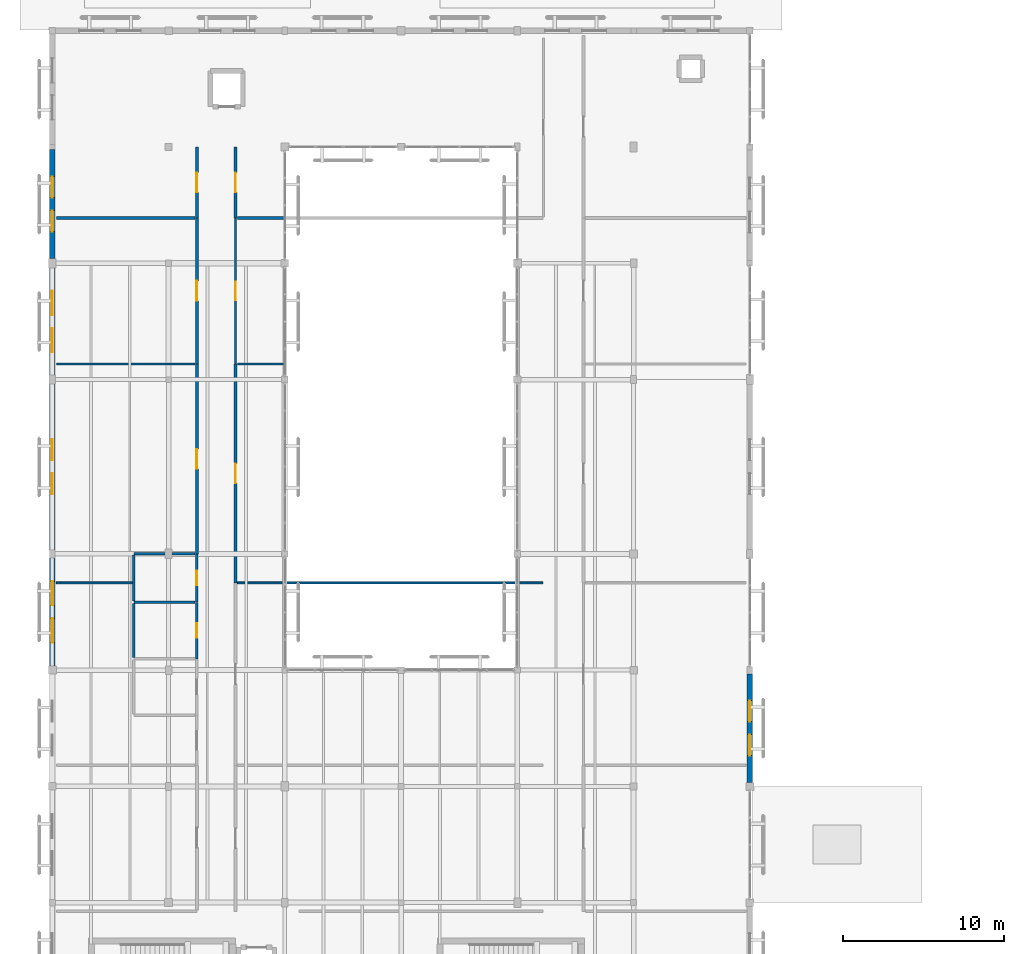
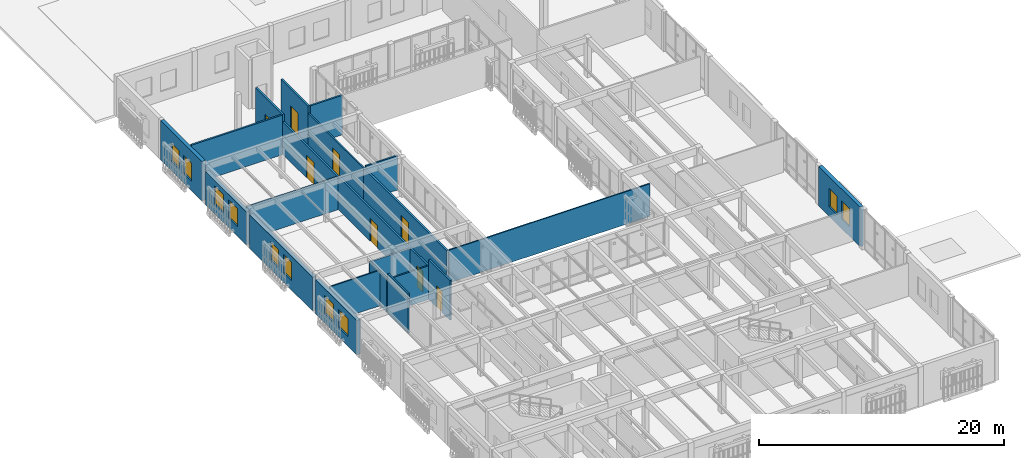
# One storey, part 47 of 61: 23 walls, 10 windows, 8 doors, 18 openings.
"""IFC4 building model written with IfcOpenShell, lengths in metres."""

import ifcopenshell
import ifcopenshell.guid

model = None  # the IFC model being written
_history = None  # IfcOwnerHistory: only IFC2X3 demands one
_inside = {}  # id of a spatial element -> (the spatial element, [elements in it])
_under = {}  # id of a project, library or spatial element -> (it, [spatial elements below it])
_declared = {}  # id of a project -> (the project, [libraries it declares])
_typed = {}  # id of a type object -> (the type object, [elements of that type])
_made_of = {}  # id of a material, layer set ... -> (it, [elements and type objects made of it])


def new_model(schema):
    """Start an empty IFC model of exactly this schema.

    Asked for "IFC4X3", IfcOpenShell would pick the latest addendum, in which some entities
    have other attributes; the version numbers below select the first issue.
    IFC2X3 requires an IfcOwnerHistory on every rooted entity: one is made here for all.
    """
    global model, _history
    if schema == "IFC4X3":
        model = ifcopenshell.file(schema_version=(4, 3, 0, 0))
    else:
        model = ifcopenshell.file(schema=schema)
    _inside.clear()
    _under.clear()
    _declared.clear()
    _typed.clear()
    _made_of.clear()
    _history = None
    if model.schema == "IFC2X3":
        org = make("IfcOrganization", Name="unknown")
        user = make(
            "IfcPersonAndOrganization",
            ThePerson=make("IfcPerson", FamilyName="unknown"),
            TheOrganization=org,
        )
        app = make(
            "IfcApplication",
            ApplicationDeveloper=org,
            Version="unknown",
            ApplicationFullName="unknown",
            ApplicationIdentifier="unknown",
        )
        _history = make(
            "IfcOwnerHistory",
            OwningUser=user,
            OwningApplication=app,
            ChangeAction="ADDED",
            CreationDate=0,
        )
    return model


def make(cls, **values):
    """One entity of the class cls with the attributes given. An attribute that is None is left unset."""
    return model.create_entity(
        cls, **{name: value for name, value in values.items() if value is not None}
    )


def rooted(cls, **values):
    """An entity with a GlobalId (a new one), such as an element, a storey or a relation."""
    return make(cls, GlobalId=ifcopenshell.guid.new(), OwnerHistory=_history, **values)


def si_unit(unit_type, name, prefix=None):
    """IfcSIUnit, for example si_unit("LENGTHUNIT", "METRE", prefix="MILLI")."""
    return make("IfcSIUnit", UnitType=unit_type, Prefix=prefix, Name=name)


def assignment(units):
    """IfcUnitAssignment: the units of a project."""
    return None if units is None else make("IfcUnitAssignment", Units=units)


def point(xyz):
    """IfcCartesianPoint."""
    return None if xyz is None else make("IfcCartesianPoint", Coordinates=xyz)


def direction(xyz):
    """IfcDirection."""
    return None if xyz is None else make("IfcDirection", DirectionRatios=xyz)


def frame(location, z_axis=None, x_axis=None):
    """IfcAxis2Placement3D, a coordinate frame: its origin and axes. An axis left out is left unset."""
    return make(
        "IfcAxis2Placement3D",
        Location=point(location),
        Axis=direction(z_axis),
        RefDirection=direction(x_axis),
    )


def frame_2d(location, x_axis=None):
    """IfcAxis2Placement2D, a coordinate frame in the plane: its origin and x axis."""
    return make(
        "IfcAxis2Placement2D", Location=point(location), RefDirection=direction(x_axis)
    )


def origin():
    """The frame at (0, 0, 0) with its axes left unset."""
    return frame((0.0, 0.0, 0.0))


def place(relative_to, where):
    """IfcLocalPlacement: puts the frame where relative to a parent placement (None: the world)."""
    return make(
        "IfcLocalPlacement", PlacementRelTo=relative_to, RelativePlacement=where
    )


def context(
    kind, dimensions, precision=None, world=None, true_north=None, identifier=None
):
    """IfcGeometricRepresentationContext, for example the 3D "Model" context."""
    return make(
        "IfcGeometricRepresentationContext",
        ContextIdentifier=identifier,
        ContextType=kind,
        CoordinateSpaceDimension=dimensions,
        Precision=precision,
        WorldCoordinateSystem=world,
        TrueNorth=true_north,
    )


def subcontext(parent, identifier, kind, view, scale=None):
    """IfcGeometricRepresentationSubContext, for example "Body" below "Model"."""
    return make(
        "IfcGeometricRepresentationSubContext",
        ContextIdentifier=identifier,
        ContextType=kind,
        ParentContext=parent,
        TargetScale=scale,
        TargetView=view,
    )


def project(units=None, contexts=None):
    """IfcProject with its units and contexts."""
    return rooted(
        "IfcProject",
        Name="project",
        RepresentationContexts=contexts,
        UnitsInContext=assignment(units),
    )


def spatial(cls, under=None, at=None, **own):
    """A site, building, storey or space (cls), placed at a placement, below another one or the project."""
    s = rooted(cls, ObjectPlacement=at, **own)
    if under is not None:
        _under.setdefault(under.id(), (under, []))[1].append(s)
    return s


def profile(cls, at=None, kind="AREA", **sizes):
    """A parametric profile (cls). Its sizes go by their IFC names, for example OverallWidth=200.0."""
    return make(cls, ProfileType=kind, Position=at, **sizes)


def rectangle(**sizes):
    """IfcRectangleProfileDef."""
    return profile("IfcRectangleProfileDef", **sizes)


def extrude(swept, where, along, depth):
    """IfcExtrudedAreaSolid: the profile swept, set in the frame where, extruded along a direction by depth."""
    return make(
        "IfcExtrudedAreaSolid",
        SweptArea=swept,
        Position=where,
        ExtrudedDirection=direction(along),
        Depth=depth,
    )


def shape(context_of_items, identifier, shape_type, items):
    """IfcShapeRepresentation: the items that make up one representation, for example the "Body"."""
    return make(
        "IfcShapeRepresentation",
        ContextOfItems=context_of_items,
        RepresentationIdentifier=identifier,
        RepresentationType=shape_type,
        Items=items,
    )


def material(Name=None, Category=None):
    """IfcMaterial."""
    return make("IfcMaterial", Name=Name, Category=Category)


def layer(
    of_material, thickness, ventilated=None, Name=None, Category=None, Priority=None
):
    """IfcMaterialLayer: one layer of a wall or slab, of a material (None: an air gap)."""
    return make(
        "IfcMaterialLayer",
        Material=of_material,
        LayerThickness=thickness,
        IsVentilated=ventilated,
        Name=Name,
        Category=Category,
        Priority=Priority,
    )


def layer_set(layers, Name=None):
    """IfcMaterialLayerSet."""
    return make("IfcMaterialLayerSet", MaterialLayers=layers, LayerSetName=Name)


def made_of(thing, what):
    """Note that an element or type object is made of a material, layer set ...; save() writes the relation."""
    if what is not None:
        _made_of.setdefault(what.id(), (what, []))[1].append(thing)
    return thing


def type_object(cls, material=None, **own):
    """A type object (cls), such as IfcWallType, which elements share."""
    return made_of(rooted(cls, **own), material)


def element(
    cls,
    number,
    at=None,
    inside=None,
    cuts=None,
    type_object=None,
    material=None,
    context=None,
    identifier="Body",
    shape_type=None,
    held_by="IfcProductDefinitionShape",
    body=None,
    shapes=None,
    **own,
):
    """One element of the class cls, such as IfcWall. Its Tag is "e" and its number.

    at: its placement. inside: the storey or other place that contains it. cuts: it is an
    opening in that element (IfcRelVoidsElement). A single representation is given by context,
    identifier, shape_type and body (its items); several are given by shapes. held_by: the class
    of the entity that holds the representations. save() writes the other relations.
    """
    e = rooted(cls, Tag="e%d" % number, ObjectPlacement=at, **own)
    if body is not None:
        shapes = [shape(context, identifier, shape_type, body)]
    if shapes is not None:
        e.Representation = make(held_by, Representations=shapes)
    if inside is not None:
        _inside.setdefault(inside.id(), (inside, []))[1].append(e)
    if cuts is not None:
        rooted(
            "IfcRelVoidsElement", RelatingBuildingElement=cuts, RelatedOpeningElement=e
        )
    if type_object is not None:
        _typed.setdefault(type_object.id(), (type_object, []))[1].append(e)
    return made_of(e, material)


def fill(opening, filler):
    """IfcRelFillsElement: the door or window that sits in an opening."""
    return rooted(
        "IfcRelFillsElement",
        RelatingOpeningElement=opening,
        RelatedBuildingElement=filler,
    )


def aggregate(whole, parts):
    """IfcRelAggregates: a whole, such as a stair, and the parts it consists of."""
    return rooted("IfcRelAggregates", RelatingObject=whole, RelatedObjects=parts)


def save(model, path):
    """Write the relations noted so far, then the file.

    IfcRelAggregates (storeys below a building ...), IfcRelContainedInSpatialStructure (elements
    in a storey), IfcRelDefinesByType, IfcRelAssociatesMaterial and IfcRelDeclares: one each for
    every whole, place, type object, material and project.
    """
    for whole, parts in _under.values():
        aggregate(whole, parts)
    for where, things in _inside.values():
        rooted(
            "IfcRelContainedInSpatialStructure",
            RelatedElements=things,
            RelatingStructure=where,
        )
    for kind, things in _typed.values():
        rooted("IfcRelDefinesByType", RelatedObjects=things, RelatingType=kind)
    for what, things in _made_of.values():
        rooted("IfcRelAssociatesMaterial", RelatedObjects=things, RelatingMaterial=what)
    for by, libraries in _declared.values():
        rooted("IfcRelDeclares", RelatingContext=by, RelatedDefinitions=libraries)
    model.write(path)


model = new_model("IFC4")

# Units and contexts
model_context = context("Model", 3, precision=1e-05, world=origin(), true_north=direction((0.0, 1.0)))
body_context = subcontext(model_context, "Body", "Model", "MODEL_VIEW")
ifc_project = project(units=[si_unit("LENGTHUNIT", "METRE"), si_unit("AREAUNIT", "SQUARE_METRE"), si_unit("VOLUMEUNIT", "CUBIC_METRE"), si_unit("PLANEANGLEUNIT", "RADIAN"), si_unit("MASSUNIT", "GRAM", prefix="KILO")], contexts=[model_context])

# Site, building, storey
site_placement = place(None, origin())
site = spatial("IfcSite", under=ifc_project, at=site_placement, CompositionType="ELEMENT")
building_placement = place(site_placement, origin())
building = spatial("IfcBuilding", under=site, at=building_placement, Name="Mazaris Harbour Polytechnic", CompositionType="ELEMENT")
storey_placement = place(building_placement, frame((0.0, 0.0, 18.0)))
storey = spatial("IfcBuildingStorey", under=building, at=storey_placement, Name="L04", CompositionType="ELEMENT", Elevation=18.0)

# Walls
ifc_material_1 = material(Name="Gypsum Board and Mineral Wool")
ifc_layer_1 = layer(ifc_material_1, 0.1201171875, Name="Gypsum Board and Mineral Wool")
ifc_layer_set_1 = layer_set([ifc_layer_1], Name="Gypsum Board and Mineral Wool")
wall_type_1 = type_object("IfcWallType", Name="Acoustic Stud Partition 120", PredefinedType="PARTITIONING", material=ifc_layer_set_1)
wall_1_placement = place(storey_placement, frame((0.25, 41.39990234375, 0.0), z_axis=(0.0, 0.0, 1.0), x_axis=(1.0, 0.0, 0.0)))
element("IfcWall", 1, at=wall_1_placement, inside=storey, type_object=wall_type_1, Name="V4 L04 Partition 450", PredefinedType="PARTITIONING", context=body_context, shape_type="SweptSolid", body=[
    extrude(rectangle(XDim=4.717529296875, YDim=0.1201171875, at=frame_2d((2.35888671875, 0.0))), origin(), (0.0, 0.0, 1.0), 3.534912109375),
])
wall_2_placement = place(storey_placement, frame((11.469970703125, 41.39990234375, 0.0), z_axis=(0.0, 0.0, 1.0), x_axis=(1.0, 0.0, 0.0)))
element("IfcWall", 2, at=wall_2_placement, inside=storey, type_object=wall_type_1, Name="V4 L04 Partition 461", PredefinedType="PARTITIONING", context=body_context, shape_type="SweptSolid", body=[
    extrude(rectangle(XDim=18.909912109375, YDim=0.1201171875, at=frame_2d((9.455078125, 0.0))), origin(), (0.0, 0.0, 1.0), 3.2548828125),
])
ifc_material_2 = material(Name="Double Gypsum and Mineral Wool")
ifc_layer_2 = layer(ifc_material_2, 0.14990234375, Name="Double Gypsum and Mineral Wool")
ifc_layer_set_2 = layer_set([ifc_layer_2], Name="Double Gypsum and Mineral Wool")
wall_type_2 = type_object("IfcWallType", Name="Classroom Acoustic Partition 150", PredefinedType="PARTITIONING", material=ifc_layer_set_2)
wall_3_placement = place(storey_placement, frame((0.25, 54.9599609375, 0.0), z_axis=(0.0, 0.0, 1.0), x_axis=(1.0, 0.0, 0.0)))
element("IfcWall", 3, at=wall_3_placement, inside=storey, type_object=wall_type_2, Name="V4 L04 Partition 452", PredefinedType="PARTITIONING", context=body_context, shape_type="SweptSolid", body=[
    extrude(rectangle(XDim=8.580078125, YDim=0.14990234375, at=frame_2d((4.2900390625, 0.0))), origin(), (0.0, 0.0, 1.0), 3.2548828125),
])
wall_4_placement = place(storey_placement, frame((11.469970703125, 54.9599609375, 0.0), z_axis=(0.0, 0.0, 1.0), x_axis=(1.0, 0.0, 0.0)))
element("IfcWall", 4, at=wall_4_placement, inside=storey, type_object=wall_type_2, Name="V4 L04 Partition 463", PredefinedType="PARTITIONING", context=body_context, shape_type="SweptSolid", body=[
    extrude(rectangle(XDim=3.010009765625, YDim=0.14990234375, at=frame_2d((1.5048828125, 0.0))), origin(), (0.0, 0.0, 1.0), 3.4150390625),
])

# Wall, opening, door
ifc_material_3 = material(Name="Terracotta Block and Plaster", Category="masonry")
ifc_layer_3 = layer(ifc_material_3, 0.179931640625, Name="Terracotta Block and Plaster")
ifc_layer_set_3 = layer_set([ifc_layer_3], Name="Terracotta Block and Plaster")
wall_type_3 = type_object("IfcWallType", Name="Corridor Fire Partition 180", PredefinedType="PARTITIONING", material=ifc_layer_set_3)
wall_5_placement = place(storey_placement, frame((8.949951171875, 43.205078125, 0.0), z_axis=(0.0, 0.0, 1.0), x_axis=(0.0, 1.0, 0.0)))
wall_5 = element("IfcWall", 5, at=wall_5_placement, inside=storey, type_object=wall_type_3, Name="V4 L04 Partition 451", PredefinedType="PARTITIONING", context=body_context, shape_type="SweptSolid", body=[
    extrude(rectangle(XDim=11.7548828125, YDim=0.179931640625, at=frame_2d((5.87744140625, 0.0))), origin(), (0.0, 0.0, 1.0), 3.2548828125),
])
opening_1_placement = place(wall_5_placement, frame((5.267578125, 0.0, 0.0)))
opening_1 = element("IfcOpeningElement", 6, at=opening_1_placement, cuts=wall_5, Name="Opening ID-10L", PredefinedType="OPENING", context=body_context, shape_type="SweptSolid", body=[
    extrude(rectangle(XDim=1.219970703125, YDim=2.25, at=frame_2d((0.60986328125, 1.125))), frame((0.0, 0.099853515625, 0.0), z_axis=(0.0, -1.0, 0.0), x_axis=(1.0, 0.0, 0.0)), (0.0, 0.0, 1.0), 0.199951171875),
])
ifc_material_4 = material(Name="Glulam Timber and Glass", Category="wood")
door_type_1 = type_object("IfcDoorType", Name="Library Commons Door LH 1220x2250", OperationType="SINGLE_SWING_LEFT", PredefinedType="DOOR", material=ifc_material_4)
door_1_placement = place(opening_1_placement, origin())
door_1 = element("IfcDoor", 7, at=door_1_placement, inside=storey, type_object=door_type_1, Name="ID-0213", OperationType="SINGLE_SWING_LEFT", OverallHeight=2.25, OverallWidth=1.219970703125, PredefinedType="DOOR", context=body_context, shape_type="SweptSolid", body=[
    extrude(rectangle(XDim=1.219970703125, YDim=2.25, at=frame_2d((0.60986328125, 1.125))), frame((0.0, 0.02490234375, 0.0), z_axis=(0.0, -1.0, 0.0), x_axis=(1.0, 0.0, 0.0)), (0.0, 0.0, 1.0), 0.050048828125),
])
fill(opening_1, door_1)

wall_6_placement = place(storey_placement, frame((8.949951171875, 54.965087890625, 0.0), z_axis=(0.0, 0.0, 1.0), x_axis=(0.0, 1.0, 0.0)))
wall_6 = element("IfcWall", 8, at=wall_6_placement, inside=storey, type_object=wall_type_3, Name="V4 L04 Partition 453", PredefinedType="PARTITIONING", context=body_context, shape_type="SweptSolid", body=[
    extrude(rectangle(XDim=9.034912109375, YDim=0.179931640625, at=frame_2d((4.517578125, 0.0))), origin(), (0.0, 0.0, 1.0), 3.195068359375),
])
opening_2_placement = place(wall_6_placement, frame((3.8974609375, 0.0, 0.0)))
opening_2 = element("IfcOpeningElement", 9, at=opening_2_placement, cuts=wall_6, Name="Opening ID-10R", PredefinedType="OPENING", context=body_context, shape_type="SweptSolid", body=[
    extrude(rectangle(XDim=1.239990234375, YDim=2.25, at=frame_2d((0.6201171875, 1.125))), frame((0.0, 0.099853515625, 0.0), z_axis=(0.0, -1.0, 0.0), x_axis=(1.0, 0.0, 0.0)), (0.0, 0.0, 1.0), 0.199951171875),
])
ifc_material_5 = material(Name="Glulam Timber and Glass", Category="wood")
door_type_2 = type_object("IfcDoorType", Name="Library Commons Door RH 1240x2250", OperationType="SINGLE_SWING_RIGHT", PredefinedType="DOOR", material=ifc_material_5)
door_2_placement = place(opening_2_placement, origin())
door_2 = element("IfcDoor", 10, at=door_2_placement, inside=storey, type_object=door_type_2, Name="ID-0214", OperationType="SINGLE_SWING_RIGHT", OverallHeight=2.25, OverallWidth=1.239990234375, PredefinedType="DOOR", context=body_context, shape_type="SweptSolid", body=[
    extrude(rectangle(XDim=1.239990234375, YDim=2.25, at=frame_2d((0.6201171875, 1.125))), frame((0.0, 0.02490234375, 0.0), z_axis=(0.0, -1.0, 0.0), x_axis=(1.0, 0.0, 0.0)), (0.0, 0.0, 1.0), 0.050048828125),
])
fill(opening_2, door_2)

wall_7_placement = place(storey_placement, frame((8.949951171875, 64.0048828125, 0.0), z_axis=(0.0, 0.0, 1.0), x_axis=(0.0, 1.0, 0.0)))
wall_7 = element("IfcWall", 11, at=wall_7_placement, inside=storey, type_object=wall_type_3, Name="V4 L04 Partition 455", PredefinedType="PARTITIONING", context=body_context, shape_type="SweptSolid", body=[
    extrude(rectangle(XDim=4.39013671875, YDim=0.179931640625, at=frame_2d((2.195068359375, 0.0))), origin(), (0.0, 0.0, 1.0), 3.93505859375),
])
opening_3_placement = place(wall_7_placement, frame((1.5849609375, 0.0, 0.0)))
opening_3 = element("IfcOpeningElement", 12, at=opening_3_placement, cuts=wall_7, Name="Opening ID-10L", PredefinedType="OPENING", context=body_context, shape_type="SweptSolid", body=[
    extrude(rectangle(XDim=1.219970703125, YDim=2.25, at=frame_2d((0.60986328125, 1.125))), frame((0.0, 0.099853515625, 0.0), z_axis=(0.0, -1.0, 0.0), x_axis=(1.0, 0.0, 0.0)), (0.0, 0.0, 1.0), 0.199951171875),
])
door_3_placement = place(opening_3_placement, origin())
door_3 = element("IfcDoor", 13, at=door_3_placement, inside=storey, type_object=door_type_1, Name="ID-0215", OperationType="SINGLE_SWING_LEFT", OverallHeight=2.25, OverallWidth=1.219970703125, PredefinedType="DOOR", context=body_context, shape_type="SweptSolid", body=[
    extrude(rectangle(XDim=1.219970703125, YDim=2.25, at=frame_2d((0.60986328125, 1.125))), frame((0.0, 0.02490234375, 0.0), z_axis=(0.0, -1.0, 0.0), x_axis=(1.0, 0.0, 0.0)), (0.0, 0.0, 1.0), 0.050048828125),
])
fill(opening_3, door_3)

wall_8_placement = place(storey_placement, frame((11.35009765625, 41.405029296875, 0.0), z_axis=(0.0, 0.0, 1.0), x_axis=(0.0, 1.0, 0.0)))
wall_8 = element("IfcWall", 14, at=wall_8_placement, inside=storey, type_object=wall_type_3, Name="V4 L04 Partition 462", PredefinedType="PARTITIONING", context=body_context, shape_type="SweptSolid", body=[
    extrude(rectangle(XDim=13.554931640625, YDim=0.179931640625, at=frame_2d((6.77734375, 0.0))), origin(), (0.0, 0.0, 1.0), 3.2548828125),
])
opening_4_placement = place(wall_8_placement, frame((6.16748046875, 0.0, 0.0)))
opening_4 = element("IfcOpeningElement", 15, at=opening_4_placement, cuts=wall_8, Name="Opening ID-10L", PredefinedType="OPENING", context=body_context, shape_type="SweptSolid", body=[
    extrude(rectangle(XDim=1.219970703125, YDim=2.25, at=frame_2d((0.60986328125, 1.125))), frame((0.0, 0.099853515625, 0.0), z_axis=(0.0, -1.0, 0.0), x_axis=(1.0, 0.0, 0.0)), (0.0, 0.0, 1.0), 0.199951171875),
])
door_4_placement = place(opening_4_placement, origin())
door_4 = element("IfcDoor", 16, at=door_4_placement, inside=storey, type_object=door_type_1, Name="ID-0219", OperationType="SINGLE_SWING_LEFT", OverallHeight=2.25, OverallWidth=1.219970703125, PredefinedType="DOOR", context=body_context, shape_type="SweptSolid", body=[
    extrude(rectangle(XDim=1.219970703125, YDim=2.25, at=frame_2d((0.60986328125, 1.125))), frame((0.0, 0.02490234375, 0.0), z_axis=(0.0, -1.0, 0.0), x_axis=(1.0, 0.0, 0.0)), (0.0, 0.0, 1.0), 0.050048828125),
])
fill(opening_4, door_4)

wall_9_placement = place(storey_placement, frame((11.35009765625, 64.0048828125, 0.0), z_axis=(0.0, 0.0, 1.0), x_axis=(0.0, 1.0, 0.0)))
wall_9 = element("IfcWall", 17, at=wall_9_placement, inside=storey, type_object=wall_type_3, Name="V4 L04 Partition 466", PredefinedType="PARTITIONING", context=body_context, shape_type="SweptSolid", body=[
    extrude(rectangle(XDim=4.39013671875, YDim=0.179931640625, at=frame_2d((2.195068359375, 0.0))), origin(), (0.0, 0.0, 1.0), 3.93505859375),
])
opening_5_placement = place(wall_9_placement, frame((1.5849609375, 0.0, 0.0)))
opening_5 = element("IfcOpeningElement", 18, at=opening_5_placement, cuts=wall_9, Name="Opening ID-10L", PredefinedType="OPENING", context=body_context, shape_type="SweptSolid", body=[
    extrude(rectangle(XDim=1.219970703125, YDim=2.25, at=frame_2d((0.60986328125, 1.125))), frame((0.0, 0.099853515625, 0.0), z_axis=(0.0, -1.0, 0.0), x_axis=(1.0, 0.0, 0.0)), (0.0, 0.0, 1.0), 0.199951171875),
])
door_5_placement = place(opening_5_placement, origin())
door_5 = element("IfcDoor", 19, at=door_5_placement, inside=storey, type_object=door_type_1, Name="ID-0221", OperationType="SINGLE_SWING_LEFT", OverallHeight=2.25, OverallWidth=1.219970703125, PredefinedType="DOOR", context=body_context, shape_type="SweptSolid", body=[
    extrude(rectangle(XDim=1.219970703125, YDim=2.25, at=frame_2d((0.60986328125, 1.125))), frame((0.0, 0.02490234375, 0.0), z_axis=(0.0, -1.0, 0.0), x_axis=(1.0, 0.0, 0.0)), (0.0, 0.0, 1.0), 0.050048828125),
])
fill(opening_5, door_5)

# Walls
ifc_material_6 = material(Name="Fireboard and Mineral Wool")
ifc_layer_4 = layer(ifc_material_6, 0.1650390625, Name="Fireboard and Mineral Wool")
ifc_layer_set_4 = layer_set([ifc_layer_4], Name="Fireboard and Mineral Wool")
wall_type_4 = type_object("IfcWallType", Name="Laboratory Rated Partition 165", PredefinedType="PARTITIONING", material=ifc_layer_set_4)
wall_10_placement = place(storey_placement, frame((0.25, 64.0, 0.0), z_axis=(0.0, 0.0, 1.0), x_axis=(1.0, 0.0, 0.0)))
element("IfcWall", 20, at=wall_10_placement, inside=storey, type_object=wall_type_4, Name="V4 L04 Partition 454", PredefinedType="PARTITIONING", context=body_context, shape_type="SweptSolid", body=[
    extrude(rectangle(XDim=8.580078125, YDim=0.1650390625, at=frame_2d((4.2900390625, 0.0))), origin(), (0.0, 0.0, 1.0), 3.93505859375),
])
wall_11_placement = place(storey_placement, frame((11.469970703125, 64.0, 0.0), z_axis=(0.0, 0.0, 1.0), x_axis=(1.0, 0.0, 0.0)))
element("IfcWall", 21, at=wall_11_placement, inside=storey, type_object=wall_type_4, Name="V4 L04 Partition 465", PredefinedType="PARTITIONING", context=body_context, shape_type="SweptSolid", body=[
    extrude(rectangle(XDim=3.010009765625, YDim=0.1650390625, at=frame_2d((1.5048828125, 0.0))), origin(), (0.0, 0.0, 1.0), 3.93505859375),
])

# Wall, opening, door
ifc_material_7 = material(Name="Moisture-Resistant Blockwork", Category="masonry")
ifc_layer_5 = layer(ifc_material_7, 0.175048828125, Name="Moisture-Resistant Blockwork")
ifc_layer_set_5 = layer_set([ifc_layer_5], Name="Moisture-Resistant Blockwork")
wall_type_5 = type_object("IfcWallType", Name="Laboratory Wet Service Wall 175", PredefinedType="PLUMBINGWALL", material=ifc_layer_set_5)
wall_12_placement = place(storey_placement, frame((8.949951171875, 36.705078125, 0.0), z_axis=(0.0, 0.0, 1.0), x_axis=(0.0, 1.0, 0.0)))
wall_12 = element("IfcWall", 22, at=wall_12_placement, inside=storey, type_object=wall_type_5, Name="V4 L04 Partition 439", PredefinedType="PLUMBINGWALL", context=body_context, shape_type="SweptSolid", body=[
    extrude(rectangle(XDim=3.494873046875, YDim=0.175048828125, at=frame_2d((1.74755859375, 0.0))), origin(), (0.0, 0.0, 1.0), 3.93505859375),
])
opening_6_placement = place(wall_12_placement, frame((1.297607421875, 0.0, 0.0)))
opening_6 = element("IfcOpeningElement", 23, at=opening_6_placement, cuts=wall_12, Name="Opening ID-07R", PredefinedType="OPENING", context=body_context, shape_type="SweptSolid", body=[
    extrude(rectangle(XDim=0.89990234375, YDim=2.10009765625, at=frame_2d((0.449951171875, 1.050048828125))), frame((0.0, 0.097412109375, 0.0), z_axis=(0.0, -1.0, 0.0), x_axis=(1.0, 0.0, 0.0)), (0.0, 0.0, 1.0), 0.195068359375),
])
ifc_material_8 = material(Name="Moisture-Resistant Laminate Timber", Category="wood")
door_type_3 = type_object("IfcDoorType", Name="Sanitary Room Door RH 900x2100", OperationType="SINGLE_SWING_RIGHT", PredefinedType="DOOR", material=ifc_material_8)
door_6_placement = place(opening_6_placement, origin())
door_6 = element("IfcDoor", 24, at=door_6_placement, inside=storey, type_object=door_type_3, Name="ID-0208", OperationType="SINGLE_SWING_RIGHT", OverallHeight=2.10009765625, OverallWidth=0.89990234375, PredefinedType="DOOR", context=body_context, shape_type="SweptSolid", body=[
    extrude(rectangle(XDim=0.89990234375, YDim=2.10009765625, at=frame_2d((0.449951171875, 1.050048828125))), frame((0.0, 0.02490234375, 0.0), z_axis=(0.0, -1.0, 0.0), x_axis=(1.0, 0.0, 0.0)), (0.0, 0.0, 1.0), 0.050048828125),
])
fill(opening_6, door_6)

wall_13_placement = place(storey_placement, frame((8.949951171875, 40.205078125, 0.0), z_axis=(0.0, 0.0, 1.0), x_axis=(0.0, 1.0, 0.0)))
wall_13 = element("IfcWall", 25, at=wall_13_placement, inside=storey, type_object=wall_type_5, Name="V4 L04 Partition 442", PredefinedType="PLUMBINGWALL", context=body_context, shape_type="SweptSolid", body=[
    extrude(rectangle(XDim=2.994873046875, YDim=0.175048828125, at=frame_2d((1.49755859375, 0.0))), origin(), (0.0, 0.0, 1.0), 3.2548828125),
])
opening_7_placement = place(wall_13_placement, frame((1.03759765625, 0.0, 0.0)))
opening_7 = element("IfcOpeningElement", 26, at=opening_7_placement, cuts=wall_13, Name="Opening ID-07L", PredefinedType="OPENING", context=body_context, shape_type="SweptSolid", body=[
    extrude(rectangle(XDim=0.919921875, YDim=2.10009765625, at=frame_2d((0.4599609375, 1.050048828125))), frame((0.0, 0.097412109375, 0.0), z_axis=(0.0, -1.0, 0.0), x_axis=(1.0, 0.0, 0.0)), (0.0, 0.0, 1.0), 0.195068359375),
])
ifc_material_9 = material(Name="Moisture-Resistant Laminate Timber", Category="wood")
door_type_4 = type_object("IfcDoorType", Name="Accessible Toilet Door LH 920x2100", OperationType="SINGLE_SWING_LEFT", PredefinedType="DOOR", material=ifc_material_9)
door_7_placement = place(opening_7_placement, origin())
door_7 = element("IfcDoor", 27, at=door_7_placement, inside=storey, type_object=door_type_4, Name="ID-0209", OperationType="SINGLE_SWING_LEFT", OverallHeight=2.10009765625, OverallWidth=0.919921875, PredefinedType="DOOR", context=body_context, shape_type="SweptSolid", body=[
    extrude(rectangle(XDim=0.919921875, YDim=2.10009765625, at=frame_2d((0.4599609375, 1.050048828125))), frame((0.0, 0.02490234375, 0.0), z_axis=(0.0, -1.0, 0.0), x_axis=(1.0, 0.0, 0.0)), (0.0, 0.0, 1.0), 0.050048828125),
])
fill(opening_7, door_7)

# Wall, openings, windows
ifc_material_10 = material(Name="Algerian Buff Limestone and Mineral Wool", Category="masonry")
ifc_layer_6 = layer(ifc_material_10, 0.330078125, Name="Algerian Buff Limestone and Mineral Wool")
ifc_layer_set_6 = layer_set([ifc_layer_6], Name="Algerian Buff Limestone and Mineral Wool")
wall_type_6 = type_object("IfcWallType", Name="Limestone Cavity Wall 330", PredefinedType="STANDARD", material=ifc_layer_set_6)
wall_14_placement = place(storey_placement, frame((0.0, 36.241943359375, 0.0), z_axis=(0.0, 0.0, 1.0), x_axis=(0.0, 1.0, 0.0)))
wall_14 = element("IfcWall", 28, at=wall_14_placement, inside=storey, type_object=wall_type_6, Name="V4 L04 Exterior Wall 262", PredefinedType="STANDARD", context=body_context, shape_type="SweptSolid", body=[
    extrude(rectangle(XDim=6.72607421875, YDim=0.330078125, at=frame_2d((3.363037109375, 0.0))), origin(), (0.0, 0.0, 1.0), 3.4150390625),
])
opening_8_placement = place(wall_14_placement, frame((1.462890625, 0.0, 0.949951171875)))
opening_8 = element("IfcOpeningElement", 29, at=opening_8_placement, cuts=wall_14, Name="Opening WN-14", PredefinedType="OPENING", context=body_context, shape_type="SweptSolid", body=[
    extrude(rectangle(XDim=1.5, YDim=1.800048828125, at=frame_2d((0.75, 0.89990234375))), frame((0.0, 0.175048828125, 0.0), z_axis=(0.0, -1.0, 0.0), x_axis=(1.0, 0.0, 0.0)), (0.0, 0.0, 1.0), 0.35009765625),
])
opening_9_placement = place(wall_14_placement, frame((3.762939453125, 0.0, 0.949951171875)))
opening_9 = element("IfcOpeningElement", 30, at=opening_9_placement, cuts=wall_14, Name="Opening WN-14", PredefinedType="OPENING", context=body_context, shape_type="SweptSolid", body=[
    extrude(rectangle(XDim=1.5, YDim=1.800048828125, at=frame_2d((0.75, 0.89990234375))), frame((0.0, 0.175048828125, 0.0), z_axis=(0.0, -1.0, 0.0), x_axis=(1.0, 0.0, 0.0)), (0.0, 0.0, 1.0), 0.35009765625),
])
ifc_material_11 = material(Name="Thermally Broken Bronze Aluminium and Low-E Glass", Category="aluminium")
window_type_1 = type_object("IfcWindowType", Name="Attic Deep-Reveal Window 1500x1800", PartitioningType="DOUBLE_PANEL_VERTICAL", PredefinedType="WINDOW", material=ifc_material_11)
window_1_placement = place(opening_8_placement, origin())
window_1 = element("IfcWindow", 31, at=window_1_placement, inside=storey, type_object=window_type_1, Name="WN-0294", OverallHeight=1.800048828125, OverallWidth=1.5, PartitioningType="DOUBLE_PANEL_VERTICAL", PredefinedType="WINDOW", context=body_context, shape_type="SweptSolid", body=[
    extrude(rectangle(XDim=1.5, YDim=1.800048828125, at=frame_2d((0.75, 0.89990234375))), frame((0.0, 0.030029296875, 0.0), z_axis=(0.0, -1.0, 0.0), x_axis=(1.0, 0.0, 0.0)), (0.0, 0.0, 1.0), 0.06005859375),
])
fill(opening_8, window_1)
window_2_placement = place(opening_9_placement, origin())
window_2 = element("IfcWindow", 32, at=window_2_placement, inside=storey, type_object=window_type_1, Name="WN-0295", OverallHeight=1.800048828125, OverallWidth=1.5, PartitioningType="DOUBLE_PANEL_VERTICAL", PredefinedType="WINDOW", context=body_context, shape_type="SweptSolid", body=[
    extrude(rectangle(XDim=1.5, YDim=1.800048828125, at=frame_2d((0.75, 0.89990234375))), frame((0.0, 0.030029296875, 0.0), z_axis=(0.0, -1.0, 0.0), x_axis=(1.0, 0.0, 0.0)), (0.0, 0.0, 1.0), 0.06005859375),
])
fill(opening_9, window_2)

wall_15_placement = place(storey_placement, frame((0.0, 43.431884765625, 0.0), z_axis=(0.0, 0.0, 1.0), x_axis=(0.0, 1.0, 0.0)))
wall_15 = element("IfcWall", 33, at=wall_15_placement, inside=storey, type_object=wall_type_6, Name="V4 L04 Exterior Wall 263", PredefinedType="STANDARD", context=body_context, shape_type="SweptSolid", body=[
    extrude(rectangle(XDim=10.30615234375, YDim=0.330078125, at=frame_2d((5.153076171875, 0.0))), origin(), (0.0, 0.0, 1.0), 3.35498046875),
])
opening_10_placement = place(wall_15_placement, frame((3.452880859375, 0.0, 0.949951171875)))
opening_10 = element("IfcOpeningElement", 34, at=opening_10_placement, cuts=wall_15, Name="Opening WN-13", PredefinedType="OPENING", context=body_context, shape_type="SweptSolid", body=[
    extrude(rectangle(XDim=1.300048828125, YDim=1.800048828125, at=frame_2d((0.64990234375, 0.89990234375))), frame((0.0, 0.175048828125, 0.0), z_axis=(0.0, -1.0, 0.0), x_axis=(1.0, 0.0, 0.0)), (0.0, 0.0, 1.0), 0.35009765625),
])
opening_11_placement = place(wall_15_placement, frame((5.552978515625, 0.0, 0.949951171875)))
opening_11 = element("IfcOpeningElement", 35, at=opening_11_placement, cuts=wall_15, Name="Opening WN-13", PredefinedType="OPENING", context=body_context, shape_type="SweptSolid", body=[
    extrude(rectangle(XDim=1.300048828125, YDim=1.800048828125, at=frame_2d((0.64990234375, 0.89990234375))), frame((0.0, 0.175048828125, 0.0), z_axis=(0.0, -1.0, 0.0), x_axis=(1.0, 0.0, 0.0)), (0.0, 0.0, 1.0), 0.35009765625),
])
ifc_material_12 = material(Name="Thermally Broken Bronze Aluminium and Low-E Glass", Category="aluminium")
window_type_2 = type_object("IfcWindowType", Name="Attic Deep-Reveal Window 1300x1800", PartitioningType="DOUBLE_PANEL_VERTICAL", PredefinedType="WINDOW", material=ifc_material_12)
window_3_placement = place(opening_10_placement, origin())
window_3 = element("IfcWindow", 36, at=window_3_placement, inside=storey, type_object=window_type_2, Name="WN-0296", OverallHeight=1.800048828125, OverallWidth=1.300048828125, PartitioningType="DOUBLE_PANEL_VERTICAL", PredefinedType="WINDOW", context=body_context, shape_type="SweptSolid", body=[
    extrude(rectangle(XDim=1.300048828125, YDim=1.800048828125, at=frame_2d((0.64990234375, 0.89990234375))), frame((0.0, 0.030029296875, 0.0), z_axis=(0.0, -1.0, 0.0), x_axis=(1.0, 0.0, 0.0)), (0.0, 0.0, 1.0), 0.06005859375),
])
fill(opening_10, window_3)
window_4_placement = place(opening_11_placement, origin())
window_4 = element("IfcWindow", 37, at=window_4_placement, inside=storey, type_object=window_type_2, Name="WN-0297", OverallHeight=1.800048828125, OverallWidth=1.300048828125, PartitioningType="DOUBLE_PANEL_VERTICAL", PredefinedType="WINDOW", context=body_context, shape_type="SweptSolid", body=[
    extrude(rectangle(XDim=1.300048828125, YDim=1.800048828125, at=frame_2d((0.64990234375, 0.89990234375))), frame((0.0, 0.030029296875, 0.0), z_axis=(0.0, -1.0, 0.0), x_axis=(1.0, 0.0, 0.0)), (0.0, 0.0, 1.0), 0.06005859375),
])
fill(opening_11, window_4)

wall_16_placement = place(storey_placement, frame((0.0, 54.261962890625, 0.0), z_axis=(0.0, 0.0, 1.0), x_axis=(0.0, 1.0, 0.0)))
wall_16 = element("IfcWall", 38, at=wall_16_placement, inside=storey, type_object=wall_type_6, Name="V4 L04 Exterior Wall 264", PredefinedType="STANDARD", context=body_context, shape_type="SweptSolid", body=[
    extrude(rectangle(XDim=6.64599609375, YDim=0.330078125, at=frame_2d((3.322998046875, 0.0))), origin(), (0.0, 0.0, 1.0), 3.294921875),
])
opening_12_placement = place(wall_16_placement, frame((1.423095703125, 0.0, 0.949951171875)))
opening_12 = element("IfcOpeningElement", 39, at=opening_12_placement, cuts=wall_16, Name="Opening WN-14", PredefinedType="OPENING", context=body_context, shape_type="SweptSolid", body=[
    extrude(rectangle(XDim=1.5, YDim=1.800048828125, at=frame_2d((0.75, 0.89990234375))), frame((0.0, 0.175048828125, 0.0), z_axis=(0.0, -1.0, 0.0), x_axis=(1.0, 0.0, 0.0)), (0.0, 0.0, 1.0), 0.35009765625),
])
opening_13_placement = place(wall_16_placement, frame((3.722900390625, 0.0, 0.949951171875)))
opening_13 = element("IfcOpeningElement", 40, at=opening_13_placement, cuts=wall_16, Name="Opening WN-14", PredefinedType="OPENING", context=body_context, shape_type="SweptSolid", body=[
    extrude(rectangle(XDim=1.5, YDim=1.800048828125, at=frame_2d((0.75, 0.89990234375))), frame((0.0, 0.175048828125, 0.0), z_axis=(0.0, -1.0, 0.0), x_axis=(1.0, 0.0, 0.0)), (0.0, 0.0, 1.0), 0.35009765625),
])
window_5_placement = place(opening_12_placement, origin())
window_5 = element("IfcWindow", 41, at=window_5_placement, inside=storey, type_object=window_type_1, Name="WN-0298", OverallHeight=1.800048828125, OverallWidth=1.5, PartitioningType="DOUBLE_PANEL_VERTICAL", PredefinedType="WINDOW", context=body_context, shape_type="SweptSolid", body=[
    extrude(rectangle(XDim=1.5, YDim=1.800048828125, at=frame_2d((0.75, 0.89990234375))), frame((0.0, 0.030029296875, 0.0), z_axis=(0.0, -1.0, 0.0), x_axis=(1.0, 0.0, 0.0)), (0.0, 0.0, 1.0), 0.06005859375),
])
fill(opening_12, window_5)
window_6_placement = place(opening_13_placement, origin())
window_6 = element("IfcWindow", 42, at=window_6_placement, inside=storey, type_object=window_type_1, Name="WN-0299", OverallHeight=1.800048828125, OverallWidth=1.5, PartitioningType="DOUBLE_PANEL_VERTICAL", PredefinedType="WINDOW", context=body_context, shape_type="SweptSolid", body=[
    extrude(rectangle(XDim=1.5, YDim=1.800048828125, at=frame_2d((0.75, 0.89990234375))), frame((0.0, 0.030029296875, 0.0), z_axis=(0.0, -1.0, 0.0), x_axis=(1.0, 0.0, 0.0)), (0.0, 0.0, 1.0), 0.06005859375),
])
fill(opening_13, window_6)

wall_17_placement = place(storey_placement, frame((0.0, 61.491943359375, 0.0), z_axis=(0.0, 0.0, 1.0), x_axis=(0.0, 1.0, 0.0)))
wall_17 = element("IfcWall", 43, at=wall_17_placement, inside=storey, type_object=wall_type_6, Name="V4 L04 Exterior Wall 265", PredefinedType="STANDARD", context=body_context, shape_type="SweptSolid", body=[
    extrude(rectangle(XDim=6.74609375, YDim=0.330078125, at=frame_2d((3.373046875, 0.0))), origin(), (0.0, 0.0, 1.0), 3.93505859375),
])
opening_14_placement = place(wall_17_placement, frame((1.673095703125, 0.0, 0.949951171875)))
opening_14 = element("IfcOpeningElement", 44, at=opening_14_placement, cuts=wall_17, Name="Opening WN-13", PredefinedType="OPENING", context=body_context, shape_type="SweptSolid", body=[
    extrude(rectangle(XDim=1.300048828125, YDim=1.800048828125, at=frame_2d((0.64990234375, 0.89990234375))), frame((0.0, 0.175048828125, 0.0), z_axis=(0.0, -1.0, 0.0), x_axis=(1.0, 0.0, 0.0)), (0.0, 0.0, 1.0), 0.35009765625),
])
opening_15_placement = place(wall_17_placement, frame((3.77294921875, 0.0, 0.949951171875)))
opening_15 = element("IfcOpeningElement", 45, at=opening_15_placement, cuts=wall_17, Name="Opening WN-13", PredefinedType="OPENING", context=body_context, shape_type="SweptSolid", body=[
    extrude(rectangle(XDim=1.300048828125, YDim=1.800048828125, at=frame_2d((0.64990234375, 0.89990234375))), frame((0.0, 0.175048828125, 0.0), z_axis=(0.0, -1.0, 0.0), x_axis=(1.0, 0.0, 0.0)), (0.0, 0.0, 1.0), 0.35009765625),
])
window_7_placement = place(opening_14_placement, origin())
window_7 = element("IfcWindow", 46, at=window_7_placement, inside=storey, type_object=window_type_2, Name="WN-0300", OverallHeight=1.800048828125, OverallWidth=1.300048828125, PartitioningType="DOUBLE_PANEL_VERTICAL", PredefinedType="WINDOW", context=body_context, shape_type="SweptSolid", body=[
    extrude(rectangle(XDim=1.300048828125, YDim=1.800048828125, at=frame_2d((0.64990234375, 0.89990234375))), frame((0.0, 0.030029296875, 0.0), z_axis=(0.0, -1.0, 0.0), x_axis=(1.0, 0.0, 0.0)), (0.0, 0.0, 1.0), 0.06005859375),
])
fill(opening_14, window_7)
window_8_placement = place(opening_15_placement, origin())
window_8 = element("IfcWindow", 47, at=window_8_placement, inside=storey, type_object=window_type_2, Name="WN-0301", OverallHeight=1.800048828125, OverallWidth=1.300048828125, PartitioningType="DOUBLE_PANEL_VERTICAL", PredefinedType="WINDOW", context=body_context, shape_type="SweptSolid", body=[
    extrude(rectangle(XDim=1.300048828125, YDim=1.800048828125, at=frame_2d((0.64990234375, 0.89990234375))), frame((0.0, 0.030029296875, 0.0), z_axis=(0.0, -1.0, 0.0), x_axis=(1.0, 0.0, 0.0)), (0.0, 0.0, 1.0), 0.06005859375),
])
fill(opening_15, window_8)

wall_18_placement = place(storey_placement, frame((43.199951171875, 35.76806640625, 0.0), z_axis=(0.0, 0.0, 1.0), x_axis=(0.0, -1.0, 0.0)))
wall_18 = element("IfcWall", 48, at=wall_18_placement, inside=storey, type_object=wall_type_6, Name="V4 L04 Exterior Wall 268", PredefinedType="STANDARD", context=body_context, shape_type="SweptSolid", body=[
    extrude(rectangle(XDim=6.72607421875, YDim=0.330078125, at=frame_2d((3.363037109375, 0.0))), origin(), (0.0, 0.0, 1.0), 3.93505859375),
])
opening_16_placement = place(wall_18_placement, frame((1.6630859375, 0.0, 0.949951171875)))
opening_16 = element("IfcOpeningElement", 49, at=opening_16_placement, cuts=wall_18, Name="Opening WN-13", PredefinedType="OPENING", context=body_context, shape_type="SweptSolid", body=[
    extrude(rectangle(XDim=1.300048828125, YDim=1.800048828125, at=frame_2d((0.64990234375, 0.89990234375))), frame((0.0, 0.175048828125, 0.0), z_axis=(0.0, -1.0, 0.0), x_axis=(1.0, 0.0, 0.0)), (0.0, 0.0, 1.0), 0.35009765625),
])
opening_17_placement = place(wall_18_placement, frame((3.762939453125, 0.0, 0.949951171875)))
opening_17 = element("IfcOpeningElement", 50, at=opening_17_placement, cuts=wall_18, Name="Opening WN-13", PredefinedType="OPENING", context=body_context, shape_type="SweptSolid", body=[
    extrude(rectangle(XDim=1.300048828125, YDim=1.800048828125, at=frame_2d((0.64990234375, 0.89990234375))), frame((0.0, 0.175048828125, 0.0), z_axis=(0.0, -1.0, 0.0), x_axis=(1.0, 0.0, 0.0)), (0.0, 0.0, 1.0), 0.35009765625),
])
window_9_placement = place(opening_16_placement, origin())
window_9 = element("IfcWindow", 51, at=window_9_placement, inside=storey, type_object=window_type_2, Name="WN-0306", OverallHeight=1.800048828125, OverallWidth=1.300048828125, PartitioningType="DOUBLE_PANEL_VERTICAL", PredefinedType="WINDOW", context=body_context, shape_type="SweptSolid", body=[
    extrude(rectangle(XDim=1.300048828125, YDim=1.800048828125, at=frame_2d((0.64990234375, 0.89990234375))), frame((0.0, 0.030029296875, 0.0), z_axis=(0.0, -1.0, 0.0), x_axis=(1.0, 0.0, 0.0)), (0.0, 0.0, 1.0), 0.06005859375),
])
fill(opening_16, window_9)
window_10_placement = place(opening_17_placement, origin())
window_10 = element("IfcWindow", 52, at=window_10_placement, inside=storey, type_object=window_type_2, Name="WN-0307", OverallHeight=1.800048828125, OverallWidth=1.300048828125, PartitioningType="DOUBLE_PANEL_VERTICAL", PredefinedType="WINDOW", context=body_context, shape_type="SweptSolid", body=[
    extrude(rectangle(XDim=1.300048828125, YDim=1.800048828125, at=frame_2d((0.64990234375, 0.89990234375))), frame((0.0, 0.030029296875, 0.0), z_axis=(0.0, -1.0, 0.0), x_axis=(1.0, 0.0, 0.0)), (0.0, 0.0, 1.0), 0.06005859375),
])
fill(opening_17, window_10)

# Walls
ifc_material_13 = material(Name="Moisture-Resistant Gypsum and Steel Stud", Category="steel")
ifc_layer_7 = layer(ifc_material_13, 0.14501953125, Name="Moisture-Resistant Gypsum and Steel Stud")
ifc_layer_set_7 = layer_set([ifc_layer_7], Name="Moisture-Resistant Gypsum and Steel Stud")
wall_type_7 = type_object("IfcWallType", Name="Sanitary Plumbing Wall 145", PredefinedType="PLUMBINGWALL", material=ifc_layer_set_7)
wall_19_placement = place(storey_placement, frame((5.050048828125, 40.199951171875, 0.0), z_axis=(0.0, 0.0, 1.0), x_axis=(1.0, 0.0, 0.0)))
element("IfcWall", 53, at=wall_19_placement, inside=storey, type_object=wall_type_7, Name="V4 L04 Partition 440", PredefinedType="PLUMBINGWALL", context=body_context, shape_type="SweptSolid", body=[
    extrude(rectangle(XDim=3.780029296875, YDim=0.14501953125, at=frame_2d((1.89013671875, 0.0))), origin(), (0.0, 0.0, 1.0), 3.35498046875),
])
wall_20_placement = place(storey_placement, frame((5.050048828125, 36.782470703125, 0.0), z_axis=(0.0, 0.0, 1.0), x_axis=(0.0, 1.0, 0.0)))
element("IfcWall", 54, at=wall_20_placement, inside=storey, type_object=wall_type_7, Name="V4 L04 Partition 441", PredefinedType="PLUMBINGWALL", context=body_context, shape_type="SweptSolid", body=[
    extrude(rectangle(XDim=3.3349609375, YDim=0.14501953125, at=frame_2d((1.66748046875, 0.0))), origin(), (0.0, 0.0, 1.0), 3.93505859375),
])
wall_21_placement = place(storey_placement, frame((5.050048828125, 43.199951171875, 0.0), z_axis=(0.0, 0.0, 1.0), x_axis=(1.0, 0.0, 0.0)))
element("IfcWall", 55, at=wall_21_placement, inside=storey, type_object=wall_type_7, Name="V4 L04 Partition 443", PredefinedType="PLUMBINGWALL", context=body_context, shape_type="SweptSolid", body=[
    extrude(rectangle(XDim=3.780029296875, YDim=0.14501953125, at=frame_2d((1.89013671875, 0.0))), origin(), (0.0, 0.0, 1.0), 3.2548828125),
])
wall_22_placement = place(storey_placement, frame((5.050048828125, 40.282470703125, 0.0), z_axis=(0.0, 0.0, 1.0), x_axis=(0.0, 1.0, 0.0)))
element("IfcWall", 56, at=wall_22_placement, inside=storey, type_object=wall_type_7, Name="V4 L04 Partition 444", PredefinedType="PLUMBINGWALL", context=body_context, shape_type="SweptSolid", body=[
    extrude(rectangle(XDim=2.8349609375, YDim=0.14501953125, at=frame_2d((1.41748046875, 0.0))), origin(), (0.0, 0.0, 1.0), 3.294921875),
])

# Wall, opening, door
ifc_material_14 = material(Name="Gypsum Board and Mineral Wool")
ifc_layer_8 = layer(ifc_material_14, 0.135009765625, Name="Gypsum Board and Mineral Wool")
ifc_layer_set_8 = layer_set([ifc_layer_8], Name="Gypsum Board and Mineral Wool")
wall_type_8 = type_object("IfcWallType", Name="Studio Partition Wall 135", PredefinedType="PARTITIONING", material=ifc_layer_set_8)
wall_23_placement = place(storey_placement, frame((11.35009765625, 54.965087890625, 0.0), z_axis=(0.0, 0.0, 1.0), x_axis=(0.0, 1.0, 0.0)))
wall_23 = element("IfcWall", 57, at=wall_23_placement, inside=storey, type_object=wall_type_8, Name="V4 L04 Partition 464", PredefinedType="PARTITIONING", context=body_context, shape_type="SweptSolid", body=[
    extrude(rectangle(XDim=9.034912109375, YDim=0.135009765625, at=frame_2d((4.517578125, 0.0))), origin(), (0.0, 0.0, 1.0), 3.195068359375),
])
opening_18_placement = place(wall_23_placement, frame((3.9375, 0.0, 0.0)))
opening_18 = element("IfcOpeningElement", 58, at=opening_18_placement, cuts=wall_23, Name="Opening ID-03R", PredefinedType="OPENING", context=body_context, shape_type="SweptSolid", body=[
    extrude(rectangle(XDim=1.159912109375, YDim=2.199951171875, at=frame_2d((0.580078125, 1.10009765625))), frame((0.0, 0.077392578125, 0.0), z_axis=(0.0, -1.0, 0.0), x_axis=(1.0, 0.0, 0.0)), (0.0, 0.0, 1.0), 0.155029296875),
])
ifc_material_15 = material(Name="Glulam Timber and Acoustic Glass", Category="wood")
door_type_5 = type_object("IfcDoorType", Name="Design Studio Door RH 1160x2200", OperationType="SINGLE_SWING_RIGHT", PredefinedType="DOOR", material=ifc_material_15)
door_8_placement = place(opening_18_placement, origin())
door_8 = element("IfcDoor", 59, at=door_8_placement, inside=storey, type_object=door_type_5, Name="ID-0220", OperationType="SINGLE_SWING_RIGHT", OverallHeight=2.199951171875, OverallWidth=1.159912109375, PredefinedType="DOOR", context=body_context, shape_type="SweptSolid", body=[
    extrude(rectangle(XDim=1.159912109375, YDim=2.199951171875, at=frame_2d((0.580078125, 1.10009765625))), frame((0.0, 0.02490234375, 0.0), z_axis=(0.0, -1.0, 0.0), x_axis=(1.0, 0.0, 0.0)), (0.0, 0.0, 1.0), 0.050048828125),
])
fill(opening_18, door_8)

save(model, "model.ifc")
